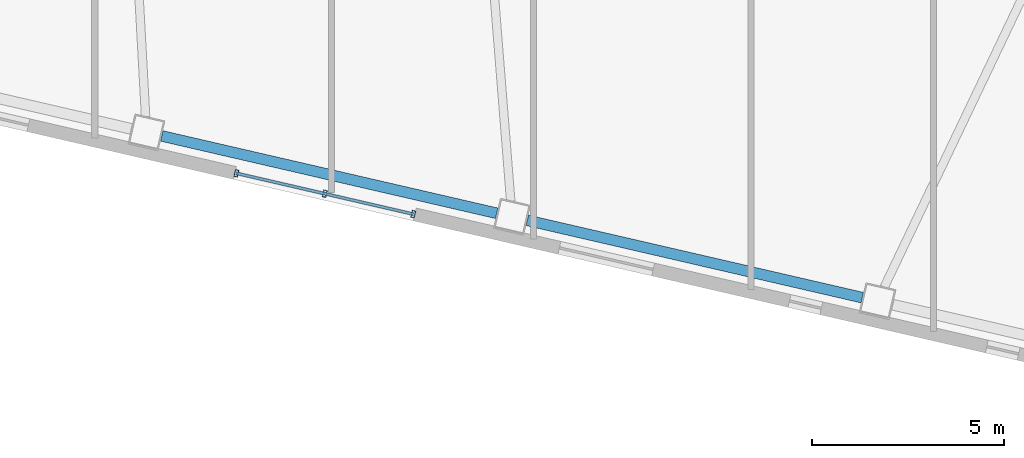
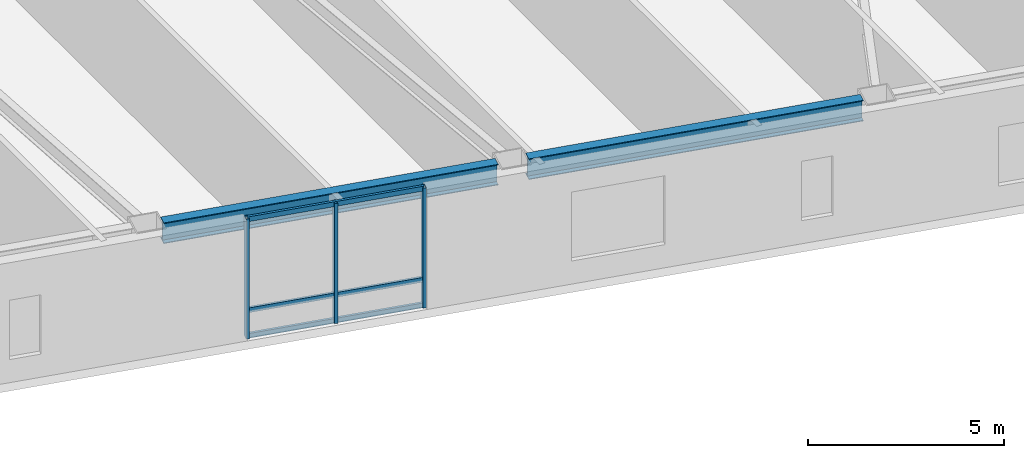
# One storey, part 3 of 18: 6 members, 2 beams, 1 element without a shape of its own.
"""IFC4 building model written with IfcOpenShell, lengths in metres."""

from ifc_helpers import new_model, si_unit, direction, frame, origin, origin_2d, place, context, subcontext, project, spatial, hollow_rectangle, i_section, extrude, material, layer, layer_set, material_profile, profile_set, type_object, element, aggregate, save


model = new_model("IFC4")

# Units and contexts
model_context = context("Model", 3, precision=1e-05, world=origin(), true_north=direction((0.0, 1.0)))
body_context = subcontext(model_context, "Body", "Model", "MODEL_VIEW")
ifc_project = project(units=[si_unit("LENGTHUNIT", "METRE"), si_unit("AREAUNIT", "SQUARE_METRE"), si_unit("VOLUMEUNIT", "CUBIC_METRE"), si_unit("PLANEANGLEUNIT", "RADIAN"), si_unit("MASSUNIT", "GRAM", prefix="KILO")], contexts=[model_context])

# Site, building, storey
site_placement = place(None, origin())
site = spatial("IfcSite", under=ifc_project, at=site_placement, CompositionType="ELEMENT")
building_placement = place(site_placement, origin())
building = spatial("IfcBuilding", under=site, at=building_placement, Name="Tavrogorsk Clinical Tower", CompositionType="ELEMENT")
storey_placement = place(building_placement, frame((0.0, 0.0, 51.39990234375)))
storey = spatial("IfcBuildingStorey", under=building, at=storey_placement, Name="L10", CompositionType="ELEMENT", Elevation=51.39990234375)

# Curtain wall, members
ifc_material_1 = material(Name="Anodised aluminium and triple IGU glazing", Category="aluminium")
ifc_layer = layer(ifc_material_1, 0.179931640625)
ifc_layer_set = layer_set([ifc_layer], Name="Anodised aluminium and triple IGU glazing")
curtain_wall_type = type_object("IfcCurtainWallType", Name="CW3_SouthSlot", PredefinedType="NOTDEFINED", material=ifc_layer_set)
curtain_wall_placement = place(storey_placement, origin())
curtain_wall = element("IfcCurtainWall", 1, at=curtain_wall_placement, inside=storey, type_object=curtain_wall_type, Name="L10 Curtain Wall CW-L10-S-SLOT-2", PredefinedType="NOTDEFINED")
ifc_material_2 = material(Name="Anodised aluminium alloy AW-6060", Category="aluminium")
ifc_material_profile_1 = material_profile(ifc_material_2, hollow_rectangle(XDim=0.090087890625, YDim=0.179931640625, WallThickness=0.00634765625, at=origin_2d()), Name="RHS-180x90x6.3")
ifc_profile_set_1 = profile_set([ifc_material_profile_1], Name="Anodised aluminium alloy AW-6060")
member_type_1 = type_object("IfcMemberType", Name="CwMullion_180x90", PredefinedType="MULLION", material=ifc_profile_set_1)
member_1_placement = place(storey_placement, frame((-0.92041015625, -28.240478515625, 0.0), z_axis=(0.0, 0.0, 1.0), x_axis=(0.974370102963, -0.224950888978, 0.0)))
member_1 = element("IfcMember", 2, at=member_1_placement, type_object=member_type_1, Name="CW-L10-S-SLOT-2 Mullion 1", PredefinedType="MULLION", context=body_context, shape_type="SweptSolid", body=[
    extrude(hollow_rectangle(XDim=0.090087890625, YDim=0.179931640625, WallThickness=0.00634765625, at=origin_2d()), origin(), (0.0, 0.0, 1.0), 3.739990234375),
])
member_2_placement = place(storey_placement, frame((1.378173828125, -28.771240234375, 0.0), z_axis=(0.0, 0.0, 1.0), x_axis=(0.974370102963, -0.224950888978, 0.0)))
member_2 = element("IfcMember", 3, at=member_2_placement, type_object=member_type_1, Name="CW-L10-S-SLOT-2 Mullion 2", PredefinedType="MULLION", context=body_context, shape_type="SweptSolid", body=[
    extrude(hollow_rectangle(XDim=0.090087890625, YDim=0.179931640625, WallThickness=0.00634765625, at=origin_2d()), origin(), (0.0, 0.0, 1.0), 3.739990234375),
])
member_3_placement = place(storey_placement, frame((3.6767578125, -29.3017578125, 0.0), z_axis=(0.0, 0.0, 1.0), x_axis=(0.974370102963, -0.224950888978, 0.0)))
member_3 = element("IfcMember", 4, at=member_3_placement, type_object=member_type_1, Name="CW-L10-S-SLOT-2 Mullion 3", PredefinedType="MULLION", context=body_context, shape_type="SweptSolid", body=[
    extrude(hollow_rectangle(XDim=0.090087890625, YDim=0.179931640625, WallThickness=0.00634765625, at=origin_2d()), origin(), (0.0, 0.0, 1.0), 3.739990234375),
])
ifc_material_3 = material(Name="Anodised aluminium alloy AW-6060", Category="aluminium")
ifc_material_profile_2 = material_profile(ifc_material_3, hollow_rectangle(XDim=0.074951171875, YDim=0.14990234375, WallThickness=0.0048828125, at=origin_2d()), Name="RHS-150x75x5")
ifc_profile_set_2 = profile_set([ifc_material_profile_2], Name="Anodised aluminium alloy AW-6060")
member_type_2 = type_object("IfcMemberType", Name="CwTransom_150x75", PredefinedType="USERDEFINED", material=ifc_profile_set_2)
member_4_placement = place(storey_placement, frame((-0.92041015625, -28.240478515625, 0.050048828125), z_axis=(0.974372877948, -0.22493886885, 0.0), x_axis=(0.22493886885, 0.974372877948, 0.0)))
member_4 = element("IfcMember", 5, at=member_4_placement, type_object=member_type_2, Name="CW-L10-S-SLOT-2 Transom 1", ObjectType="TRANSOM", PredefinedType="USERDEFINED", context=body_context, shape_type="SweptSolid", body=[
    extrude(hollow_rectangle(XDim=0.074951171875, YDim=0.14990234375, WallThickness=0.0048828125, at=origin_2d()), origin(), (0.0, 0.0, 1.0), 4.718017578125),
])
member_5_placement = place(storey_placement, frame((-0.92041015625, -28.240478515625, 0.85009765625), z_axis=(0.974372877948, -0.22493886885, 0.0), x_axis=(0.22493886885, 0.974372877948, 0.0)))
member_5 = element("IfcMember", 6, at=member_5_placement, type_object=member_type_2, Name="CW-L10-S-SLOT-2 Transom 2", ObjectType="TRANSOM", PredefinedType="USERDEFINED", context=body_context, shape_type="SweptSolid", body=[
    extrude(hollow_rectangle(XDim=0.074951171875, YDim=0.14990234375, WallThickness=0.0048828125, at=origin_2d()), origin(), (0.0, 0.0, 1.0), 4.718017578125),
])
member_6_placement = place(storey_placement, frame((-0.92041015625, -28.240478515625, 3.690185546875), z_axis=(0.974372877948, -0.22493886885, 0.0), x_axis=(0.22493886885, 0.974372877948, 0.0)))
member_6 = element("IfcMember", 7, at=member_6_placement, type_object=member_type_2, Name="CW-L10-S-SLOT-2 Transom 3", ObjectType="TRANSOM", PredefinedType="USERDEFINED", context=body_context, shape_type="SweptSolid", body=[
    extrude(hollow_rectangle(XDim=0.074951171875, YDim=0.14990234375, WallThickness=0.0048828125, at=origin_2d()), origin(), (0.0, 0.0, 1.0), 4.718017578125),
])
aggregate(curtain_wall, [member_1, member_2, member_3, member_4, member_5, member_6])

# Beams
ifc_material_4 = material(Name="Structural steel S390", Category="steel")
ifc_material_profile_3 = material_profile(ifc_material_4, i_section(OverallWidth=0.280029296875, OverallDepth=0.64990234375, WebThickness=0.01611328125, FlangeThickness=0.02490234375, at=origin_2d()), Name="B-650x280x16x25")
ifc_profile_set_3 = profile_set([ifc_material_profile_3], Name="Structural steel S390")
beam_type = type_object("IfcBeamType", Name="SpandrelBeam_B650", PredefinedType="SPANDREL", material=ifc_profile_set_3)
for number, where, z_axis, x_axis, name in (
    (8, (-2.85888671875, -27.26953125, 3.4150390625), (0.974372766602, -0.224939351168, 0.0), (0.224939351168, 0.974372766602, 0.0), "L10 Perimeter Spandrel S5-S6"),
    (9, (6.639892578125, -29.46240234375, 3.4150390625), (0.974366775889, -0.224965299645, 0.0), (0.224965299645, 0.974366775889, 0.0), "L10 Perimeter Spandrel S6-S7"),
):
    element("IfcBeam", number, at=place(storey_placement, frame(where, z_axis=z_axis, x_axis=x_axis)), inside=storey, type_object=beam_type, Name=name, PredefinedType="SPANDREL", context=body_context, shape_type="SweptSolid", body=[
        extrude(i_section(OverallWidth=0.280029296875, OverallDepth=0.64990234375, WebThickness=0.01611328125, FlangeThickness=0.02490234375, at=origin_2d()), origin(), (0.0, 0.0, 1.0), 8.9326171875),
    ])

save(model, "model.ifc")
